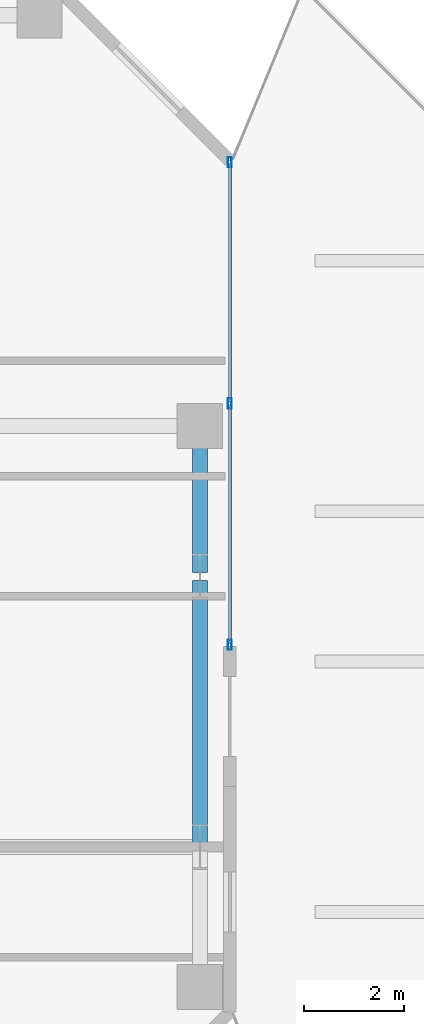
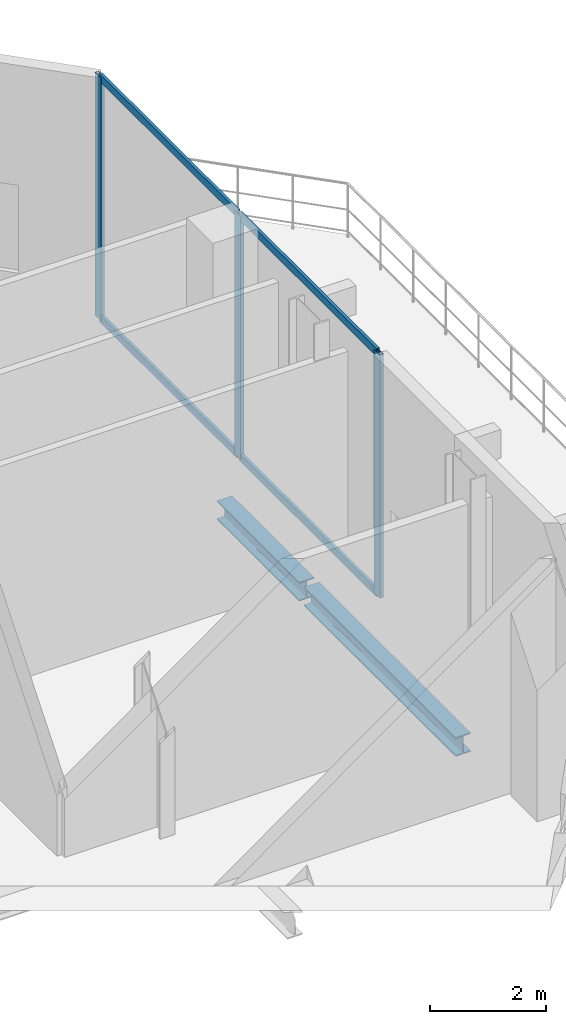
# One storey, part 18 of 24: 7 members, 2 beams, 1 element without a shape of its own.
"""IFC4 building model written with IfcOpenShell, lengths in metres."""

from ifc_helpers import new_model, si_unit, direction, frame, origin, origin_2d, place, context, subcontext, project, spatial, hollow_rectangle, i_section, extrude, material, layer, layer_set, material_profile, profile_set, type_object, element, aggregate, save


model = new_model("IFC4")

# Units and contexts
model_context = context("Model", 3, precision=1e-05, world=origin(), true_north=direction((0.0, 1.0)))
body_context = subcontext(model_context, "Body", "Model", "MODEL_VIEW")
ifc_project = project(units=[si_unit("LENGTHUNIT", "METRE"), si_unit("AREAUNIT", "SQUARE_METRE"), si_unit("VOLUMEUNIT", "CUBIC_METRE"), si_unit("PLANEANGLEUNIT", "RADIAN"), si_unit("MASSUNIT", "GRAM", prefix="KILO")], contexts=[model_context])

# Site, building, storey
site_placement = place(None, origin())
site = spatial("IfcSite", under=ifc_project, at=site_placement, CompositionType="ELEMENT")
building_placement = place(site_placement, origin())
building = spatial("IfcBuilding", under=site, at=building_placement, Name="Catumbela Crestline Tower", CompositionType="ELEMENT")
storey_placement = place(building_placement, frame((0.0, 0.0, 84.6)))
storey = spatial("IfcBuildingStorey", under=building, at=storey_placement, Name="L21", CompositionType="ELEMENT", Elevation=84.6)

# Curtain wall, members
ifc_material_1 = material(Name="Aluminium alloy AW-6060-T66", Category="aluminium")
ifc_layer = layer(ifc_material_1, 0.18, Name="Aluminium alloy AW-6060-T66")
ifc_layer_set = layer_set([ifc_layer], Name="Aluminium alloy AW-6060-T66")
curtain_wall_type = type_object("IfcCurtainWallType", Name="CWU-SKY", PredefinedType="USERDEFINED", material=ifc_layer_set)
curtain_wall_placement = place(storey_placement, origin())
curtain_wall = element("IfcCurtainWall", 1, at=curtain_wall_placement, inside=storey, type_object=curtain_wall_type, Name="L21 Unitised Curtain Wall CW-L21-E5S2", ObjectType="UNITISED", PredefinedType="USERDEFINED")
ifc_material_profile_1 = material_profile(ifc_material_1, hollow_rectangle(XDim=0.075, YDim=0.2, WallThickness=0.005, at=origin_2d()), Name="ALU 200x75x5")
ifc_profile_set_1 = profile_set([ifc_material_profile_1], Name="Aluminium alloy AW-6060-T66")
member_type_1 = type_object("IfcMemberType", Name="MUL-200X75", PredefinedType="MULLION", material=ifc_profile_set_1)
member_1_placement = place(storey_placement, frame((51.0, 34.8325, 0.0), z_axis=(0.0, 0.0, 1.0), x_axis=(-1.0, 0.0, 0.0)))
member_1 = element("IfcMember", 2, at=member_1_placement, type_object=member_type_1, Name="CWU-SKY mullion 1", PredefinedType="MULLION", context=body_context, shape_type="SweptSolid", body=[
    extrude(hollow_rectangle(XDim=0.075, YDim=0.2, WallThickness=0.005, at=origin_2d()), origin(), (0.0, 0.0, 1.0), 5.13),
])
member_2_placement = place(storey_placement, frame((51.0, 39.65, 0.0), z_axis=(0.0, 0.0, 1.0), x_axis=(-1.0, 0.0, 0.0)))
member_2 = element("IfcMember", 3, at=member_2_placement, type_object=member_type_1, Name="CWU-SKY mullion 2", PredefinedType="MULLION", context=body_context, shape_type="SweptSolid", body=[
    extrude(hollow_rectangle(XDim=0.075, YDim=0.2, WallThickness=0.005, at=origin_2d()), origin(), (0.0, 0.0, 1.0), 5.13),
])
member_3_placement = place(storey_placement, frame((51.0, 44.4675, 0.0), z_axis=(0.0, 0.0, 1.0), x_axis=(-1.0, 0.0, 0.0)))
member_3 = element("IfcMember", 4, at=member_3_placement, type_object=member_type_1, Name="CWU-SKY mullion 3", PredefinedType="MULLION", context=body_context, shape_type="SweptSolid", body=[
    extrude(hollow_rectangle(XDim=0.075, YDim=0.2, WallThickness=0.005, at=origin_2d()), origin(), (0.0, 0.0, 1.0), 5.13),
])

# Beams
ifc_material_2 = material(Name="Structural steel S355J2", Category="steel")
ifc_material_profile_2 = material_profile(ifc_material_2, i_section(OverallWidth=0.3, OverallDepth=0.4, WebThickness=0.0135, FlangeThickness=0.024, FilletRadius=0.027, at=origin_2d()), Name="HEB 400")
ifc_profile_set_2 = profile_set([ifc_material_profile_2], Name="Structural steel S355J2")
beam_type = type_object("IfcBeamType", Name="BS-HEB400", PredefinedType="SPANDREL", material=ifc_profile_set_2)
beam_1_placement = place(storey_placement, frame((50.4, 30.88, -0.55), z_axis=(0.0, 1.0, 0.0), x_axis=(-1.0, 0.0, 0.0)))
element("IfcBeam", 5, at=beam_1_placement, inside=storey, type_object=beam_type, Name="L21 Spandrel SP-L21-SN35", PredefinedType="SPANDREL", context=body_context, shape_type="SweptSolid", body=[
    extrude(i_section(OverallWidth=0.3, OverallDepth=0.4, WebThickness=0.0135, FlangeThickness=0.024, FilletRadius=0.027, at=origin_2d()), origin(), (0.0, 0.0, 1.0), 5.24),
])
beam_2_placement = place(storey_placement, frame((50.4, 36.28, -0.55), z_axis=(0.0, 1.0, 0.0), x_axis=(-1.0, 0.0, 0.0)))
element("IfcBeam", 6, at=beam_2_placement, inside=storey, type_object=beam_type, Name="L21 Spandrel SP-L21-SN36", PredefinedType="SPANDREL", context=body_context, shape_type="SweptSolid", body=[
    extrude(i_section(OverallWidth=0.3, OverallDepth=0.4, WebThickness=0.0135, FlangeThickness=0.024, FilletRadius=0.027, at=origin_2d()), origin(), (0.0, 0.0, 1.0), 2.84),
])

# Member
ifc_material_profile_3 = material_profile(ifc_material_1, hollow_rectangle(XDim=0.06, YDim=0.16, WallThickness=0.004, at=origin_2d()), Name="ALU 160x60x4")
ifc_profile_set_3 = profile_set([ifc_material_profile_3], Name="Aluminium alloy AW-6060-T66")
member_type_2 = type_object("IfcMemberType", Name="TRN-160X60", PredefinedType="USERDEFINED", material=ifc_profile_set_3)
member_4_placement = place(storey_placement, frame((51.0, 34.865, 0.03), z_axis=(0.0, 1.0, 0.0), x_axis=(-1.0, 0.0, 0.0)))
member_4 = element("IfcMember", 7, at=member_4_placement, type_object=member_type_2, Name="CWU-SKY transom 1.1", ObjectType="TRANSOM", PredefinedType="USERDEFINED", context=body_context, shape_type="SweptSolid", body=[
    extrude(hollow_rectangle(XDim=0.06, YDim=0.16, WallThickness=0.004, at=origin_2d()), origin(), (0.0, 0.0, 1.0), 4.7525),
])

member_5_placement = place(storey_placement, frame((51.0, 34.865, 5.1), z_axis=(0.0, 1.0, 0.0), x_axis=(-1.0, 0.0, 0.0)))
member_5 = element("IfcMember", 8, at=member_5_placement, type_object=member_type_2, Name="CWU-SKY transom 1.2", ObjectType="TRANSOM", PredefinedType="USERDEFINED", context=body_context, shape_type="SweptSolid", body=[
    extrude(hollow_rectangle(XDim=0.06, YDim=0.16, WallThickness=0.004, at=origin_2d()), origin(), (0.0, 0.0, 1.0), 4.7525),
])

member_6_placement = place(storey_placement, frame((51.0, 39.6825, 0.03), z_axis=(0.0, 1.0, 0.0), x_axis=(-1.0, 0.0, 0.0)))
member_6 = element("IfcMember", 9, at=member_6_placement, type_object=member_type_2, Name="CWU-SKY transom 2.1", ObjectType="TRANSOM", PredefinedType="USERDEFINED", context=body_context, shape_type="SweptSolid", body=[
    extrude(hollow_rectangle(XDim=0.06, YDim=0.16, WallThickness=0.004, at=origin_2d()), origin(), (0.0, 0.0, 1.0), 4.7525),
])

member_7_placement = place(storey_placement, frame((51.0, 39.6825, 5.1), z_axis=(0.0, 1.0, 0.0), x_axis=(-1.0, 0.0, 0.0)))
member_7 = element("IfcMember", 10, at=member_7_placement, type_object=member_type_2, Name="CWU-SKY transom 2.2", ObjectType="TRANSOM", PredefinedType="USERDEFINED", context=body_context, shape_type="SweptSolid", body=[
    extrude(hollow_rectangle(XDim=0.06, YDim=0.16, WallThickness=0.004, at=origin_2d()), origin(), (0.0, 0.0, 1.0), 4.7525),
])

aggregate(curtain_wall, [member_1, member_2, member_3, member_4, member_5, member_6, member_7])

save(model, "model.ifc")
